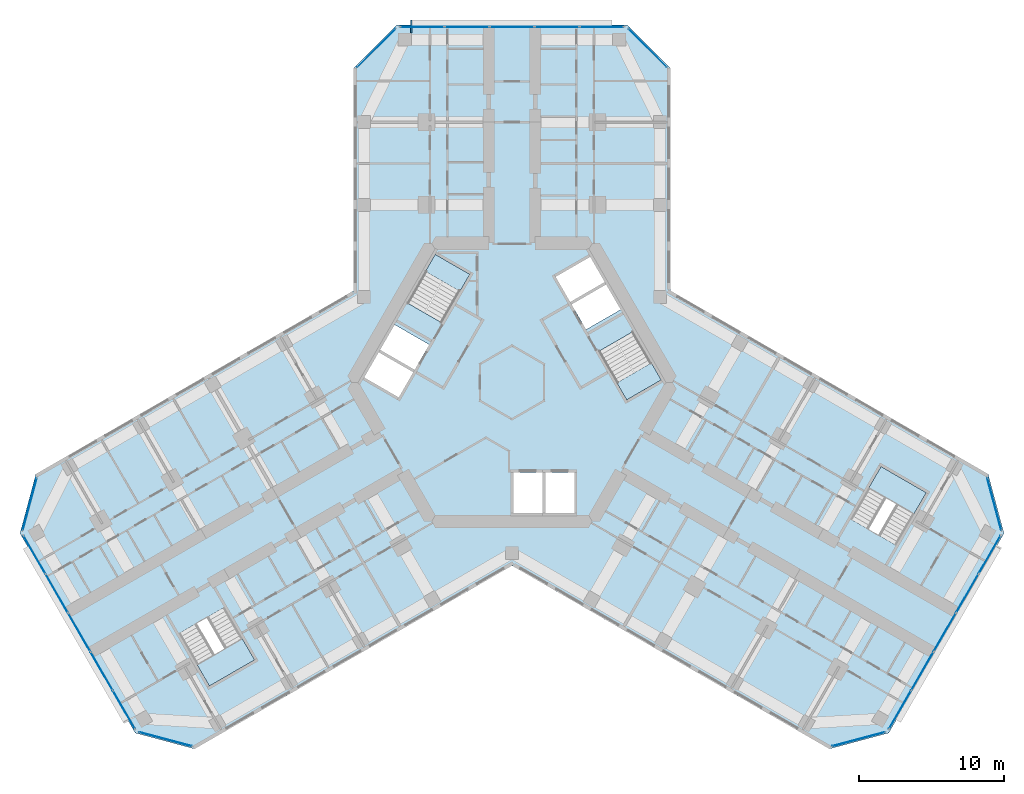
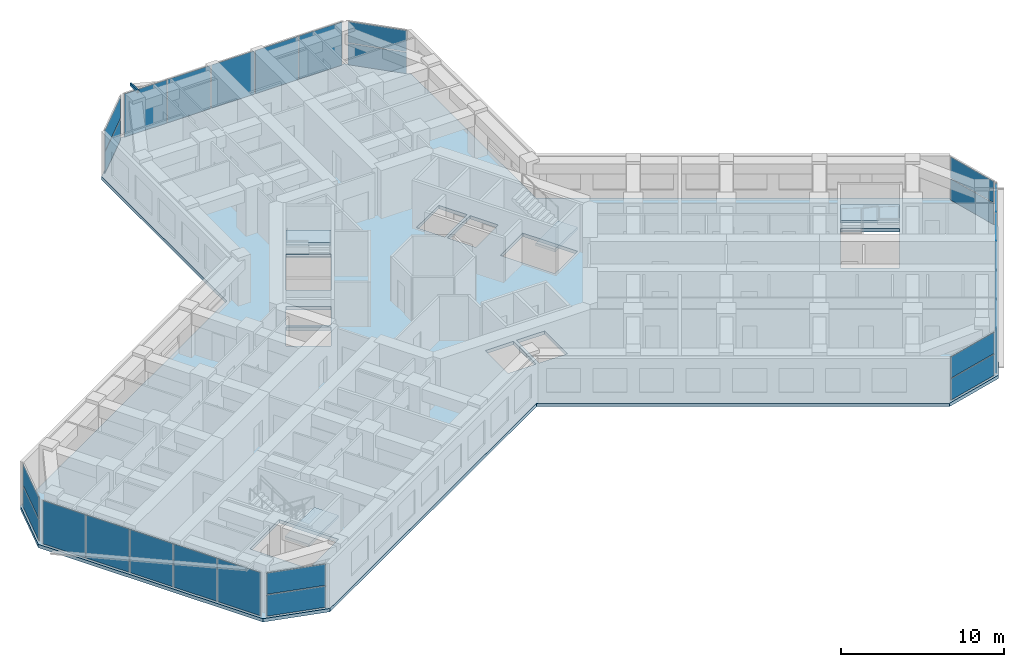
# One storey, part 9 of 19: 27 plates, 5 slabs, 1 member, 13 elements without a shape of their own.
"""IFC4 building model written with IfcOpenShell, lengths in metres."""

from ifc_helpers import new_model, si_unit, direction, frame, origin, origin_2d, place, context, subcontext, project, spatial, polyline, rectangle, hollow_rectangle, outline, extrude, material, layer, layer_set, material_profile, profile_set, type_object, element, aggregate, save


model = new_model("IFC4")

# Units and contexts
model_context = context("Model", 3, precision=1e-05, world=origin(), true_north=direction((0.0, 1.0)))
body_context = subcontext(model_context, "Body", "Model", "MODEL_VIEW")
ifc_project = project(units=[si_unit("LENGTHUNIT", "METRE"), si_unit("AREAUNIT", "SQUARE_METRE"), si_unit("VOLUMEUNIT", "CUBIC_METRE"), si_unit("PLANEANGLEUNIT", "RADIAN"), si_unit("MASSUNIT", "GRAM", prefix="KILO")], contexts=[model_context])

# Site, building, storey
site_placement = place(None, origin())
site = spatial("IfcSite", under=ifc_project, at=site_placement, CompositionType="ELEMENT")
building_placement = place(site_placement, origin())
building = spatial("IfcBuilding", under=site, at=building_placement, Name="Kosmar Iwan School Tower", CompositionType="ELEMENT")
storey_placement = place(building_placement, frame((0.0, 0.0, 145.39990234375)))
storey = spatial("IfcBuildingStorey", under=building, at=storey_placement, Name="L36", CompositionType="ELEMENT", Elevation=145.39990234375)

# Member
ifc_material_1 = material(Name="Steel S355", Category="steel")
ifc_material_profile = material_profile(ifc_material_1, hollow_rectangle(XDim=0.10009765625, YDim=0.199951171875, WallThickness=0.008056640625, at=origin_2d()), Name="RHS 200x100x8")
ifc_profile_set = profile_set([ifc_material_profile], Name="Steel S355")
member_type = type_object("IfcMemberType", Name="Fin bracket RHS 200x100", PredefinedType="USERDEFINED", material=ifc_profile_set)
member_placement = place(storey_placement, frame((-6.949951171875, 24.10009765625, 3.47509765625), z_axis=(0.0, 1.0, 0.0), x_axis=(-1.0, 0.0, 0.0)))
element("IfcMember", 1, at=member_placement, inside=storey, type_object=member_type, Name="Fin bracket L37", ObjectType="FIN BRACKET", PredefinedType="USERDEFINED", context=body_context, shape_type="SweptSolid", body=[
    extrude(hollow_rectangle(XDim=0.10009765625, YDim=0.199951171875, WallThickness=0.008056640625, at=origin_2d()), origin(), (0.0, 0.0, 1.0), 0.89990234375),
])

# Curtain wall, plates
ifc_material_2 = material(Name="Dark glass in black aluminium frame", Category="aluminium")
curtain_wall_type_1 = type_object("IfcCurtainWallType", Name="Chamfer curtain wall dark glass", PredefinedType="USERDEFINED", material=ifc_material_2)
curtain_wall_1_placement = place(storey_placement, origin())
curtain_wall_1 = element("IfcCurtainWall", 2, at=curtain_wall_1_placement, inside=storey, type_object=curtain_wall_type_1, Name="Curtain wall L36-F02", ObjectType="FACETED CURTAIN WALL", PredefinedType="USERDEFINED")
ifc_material_3 = material(Name="Dark glass", Category="glass")
ifc_layer_1 = layer(ifc_material_3, 0.028076171875)
ifc_layer_set_1 = layer_set([ifc_layer_1], Name="Dark glass panel 28")
plate_type = type_object("IfcPlateType", Name="Dark glass panel 28", PredefinedType="CURTAIN_PANEL", material=ifc_layer_set_1)
plate_1_placement = place(storey_placement, frame((23.908203125, -24.61328125, 0.06005859375), z_axis=(0.0, 0.0, 1.0), x_axis=(0.965925875495, 0.258818861462, 0.0)))
plate_1 = element("IfcPlate", 3, at=plate_1_placement, type_object=plate_type, Name="CW2 panel 1.1", PredefinedType="CURTAIN_PANEL", context=body_context, shape_type="SweptSolid", body=[
    extrude(rectangle(XDim=3.718994140625, YDim=0.028076171875, at=origin_2d()), origin(), (0.0, 0.0, 1.0), 1.5849609375),
])
plate_2_placement = place(storey_placement, frame((23.908203125, -24.61328125, 1.705078125), z_axis=(0.0, 0.0, 1.0), x_axis=(0.965925875495, 0.258818861462, 0.0)))
plate_2 = element("IfcPlate", 4, at=plate_2_placement, type_object=plate_type, Name="CW2 panel 1.2", PredefinedType="CURTAIN_PANEL", context=body_context, shape_type="SweptSolid", body=[
    extrude(rectangle(XDim=3.718994140625, YDim=0.028076171875, at=origin_2d()), origin(), (0.0, 0.0, 1.0), 1.5849609375),
])
aggregate(curtain_wall_1, [plate_1, plate_2])

ifc_material_4 = material(Name="Dark glass in black aluminium frame", Category="aluminium")
curtain_wall_type_2 = type_object("IfcCurtainWallType", Name="Tower curtain wall dark glass", PredefinedType="USERDEFINED", material=ifc_material_4)
curtain_wall_2_placement = place(storey_placement, origin())
curtain_wall_2 = element("IfcCurtainWall", 5, at=curtain_wall_2_placement, inside=storey, type_object=curtain_wall_type_2, Name="Curtain wall L36-F03", ObjectType="UNITISED CURTAIN WALL", PredefinedType="USERDEFINED")
plate_3_placement = place(storey_placement, frame((26.764404296875, -22.592529296875, 0.06005859375), z_axis=(0.0, 0.0, 1.0), x_axis=(0.499999997325, 0.866025405329, 0.0)))
plate_3 = element("IfcPlate", 6, at=plate_3_placement, type_object=plate_type, Name="CW1 panel 1.1", PredefinedType="CURTAIN_PANEL", context=body_context, shape_type="SweptSolid", body=[
    extrude(rectangle(XDim=3.00927734375, YDim=0.028076171875, at=origin_2d()), origin(), (0.0, 0.0, 1.0), 3.22998046875),
])
plate_4_placement = place(storey_placement, frame((28.306640625, -19.921630859375, 0.06005859375), z_axis=(0.0, 0.0, 1.0), x_axis=(0.499999997325, 0.866025405329, 0.0)))
plate_4 = element("IfcPlate", 7, at=plate_4_placement, type_object=plate_type, Name="CW1 panel 2.1", PredefinedType="CURTAIN_PANEL", context=body_context, shape_type="SweptSolid", body=[
    extrude(rectangle(XDim=3.039306640625, YDim=0.028076171875, at=origin_2d()), origin(), (0.0, 0.0, 1.0), 3.22998046875),
])
plate_5_placement = place(storey_placement, frame((29.856201171875, -17.237548828125, 0.06005859375), z_axis=(0.0, 0.0, 1.0), x_axis=(0.499999997325, 0.866025405329, 0.0)))
plate_5 = element("IfcPlate", 8, at=plate_5_placement, type_object=plate_type, Name="CW1 panel 3.1", PredefinedType="CURTAIN_PANEL", context=body_context, shape_type="SweptSolid", body=[
    extrude(rectangle(XDim=3.039306640625, YDim=0.028076171875, at=origin_2d()), origin(), (0.0, 0.0, 1.0), 3.22998046875),
])
plate_6_placement = place(storey_placement, frame((31.40576171875, -14.553466796875, 0.06005859375), z_axis=(0.0, 0.0, 1.0), x_axis=(0.499999997325, 0.866025405329, 0.0)))
plate_6 = element("IfcPlate", 9, at=plate_6_placement, type_object=plate_type, Name="CW1 panel 4.1", PredefinedType="CURTAIN_PANEL", context=body_context, shape_type="SweptSolid", body=[
    extrude(rectangle(XDim=3.039306640625, YDim=0.028076171875, at=origin_2d()), origin(), (0.0, 0.0, 1.0), 3.22998046875),
])
plate_7_placement = place(storey_placement, frame((32.947998046875, -11.88232421875, 0.06005859375), z_axis=(0.0, 0.0, 1.0), x_axis=(0.499999997325, 0.866025405329, 0.0)))
plate_7 = element("IfcPlate", 10, at=plate_7_placement, type_object=plate_type, Name="CW1 panel 5.1", PredefinedType="CURTAIN_PANEL", context=body_context, shape_type="SweptSolid", body=[
    extrude(rectangle(XDim=3.00927734375, YDim=0.028076171875, at=origin_2d()), origin(), (0.0, 0.0, 1.0), 3.22998046875),
])
aggregate(curtain_wall_2, [plate_3, plate_4, plate_5, plate_6, plate_7])

curtain_wall_3_placement = place(storey_placement, origin())
curtain_wall_3 = element("IfcCurtainWall", 11, at=curtain_wall_3_placement, inside=storey, type_object=curtain_wall_type_1, Name="Curtain wall L36-F04", ObjectType="FACETED CURTAIN WALL", PredefinedType="USERDEFINED")
plate_8_placement = place(storey_placement, frame((33.269775390625, -8.3984375, 0.06005859375), z_axis=(0.0, 0.0, 1.0), x_axis=(-0.258818861462, 0.965925875495, 0.0)))
plate_8 = element("IfcPlate", 12, at=plate_8_placement, type_object=plate_type, Name="CW2 panel 1.1", PredefinedType="CURTAIN_PANEL", context=body_context, shape_type="SweptSolid", body=[
    extrude(rectangle(XDim=3.718994140625, YDim=0.028076171875, at=origin_2d()), origin(), (0.0, 0.0, 1.0), 1.5849609375),
])
plate_9_placement = place(storey_placement, frame((33.269775390625, -8.3984375, 1.705078125), z_axis=(0.0, 0.0, 1.0), x_axis=(-0.258818861462, 0.965925875495, 0.0)))
plate_9 = element("IfcPlate", 13, at=plate_9_placement, type_object=plate_type, Name="CW2 panel 1.2", PredefinedType="CURTAIN_PANEL", context=body_context, shape_type="SweptSolid", body=[
    extrude(rectangle(XDim=3.718994140625, YDim=0.028076171875, at=origin_2d()), origin(), (0.0, 0.0, 1.0), 1.5849609375),
])
aggregate(curtain_wall_3, [plate_8, plate_9])

curtain_wall_4_placement = place(storey_placement, origin())
curtain_wall_4 = element("IfcCurtainWall", 14, at=curtain_wall_4_placement, inside=storey, type_object=curtain_wall_type_1, Name="Curtain wall L36-F07", ObjectType="FACETED CURTAIN WALL", PredefinedType="USERDEFINED")
plate_10_placement = place(storey_placement, frame((9.361572265625, 23.0615234375, 0.06005859375), z_axis=(0.0, 0.0, 1.0), x_axis=(-0.707106781187, 0.707106781187, 0.0)))
plate_10 = element("IfcPlate", 15, at=plate_10_placement, type_object=plate_type, Name="CW2 panel 1.1", PredefinedType="CURTAIN_PANEL", context=body_context, shape_type="SweptSolid", body=[
    extrude(rectangle(XDim=3.718994140625, YDim=0.028076171875, at=origin_2d()), origin(), (0.0, 0.0, 1.0), 1.5849609375),
])
plate_11_placement = place(storey_placement, frame((9.361572265625, 23.0615234375, 1.705078125), z_axis=(0.0, 0.0, 1.0), x_axis=(-0.707106781187, 0.707106781187, 0.0)))
plate_11 = element("IfcPlate", 16, at=plate_11_placement, type_object=plate_type, Name="CW2 panel 1.2", PredefinedType="CURTAIN_PANEL", context=body_context, shape_type="SweptSolid", body=[
    extrude(rectangle(XDim=3.718994140625, YDim=0.028076171875, at=origin_2d()), origin(), (0.0, 0.0, 1.0), 1.5849609375),
])
aggregate(curtain_wall_4, [plate_10, plate_11])

curtain_wall_5_placement = place(storey_placement, origin())
curtain_wall_5 = element("IfcCurtainWall", 17, at=curtain_wall_5_placement, inside=storey, type_object=curtain_wall_type_2, Name="Curtain wall L36-F08", ObjectType="UNITISED CURTAIN WALL", PredefinedType="USERDEFINED")
plate_12_placement = place(storey_placement, frame((6.18359375, 24.52490234375, 0.06005859375), z_axis=(0.0, 0.0, 1.0), x_axis=(-1.0, 0.0, 0.0)))
plate_12 = element("IfcPlate", 18, at=plate_12_placement, type_object=plate_type, Name="CW1 panel 1.1", PredefinedType="CURTAIN_PANEL", context=body_context, shape_type="SweptSolid", body=[
    extrude(rectangle(XDim=3.00927734375, YDim=0.028076171875, at=origin_2d()), origin(), (0.0, 0.0, 1.0), 3.22998046875),
])
plate_13_placement = place(storey_placement, frame((3.099365234375, 24.52490234375, 0.06005859375), z_axis=(0.0, 0.0, 1.0), x_axis=(-1.0, 0.0, 0.0)))
plate_13 = element("IfcPlate", 19, at=plate_13_placement, type_object=plate_type, Name="CW1 panel 2.1", PredefinedType="CURTAIN_PANEL", context=body_context, shape_type="SweptSolid", body=[
    extrude(rectangle(XDim=3.039306640625, YDim=0.028076171875, at=origin_2d()), origin(), (0.0, 0.0, 1.0), 3.22998046875),
])
plate_14_placement = place(storey_placement, frame((0.0, 24.52490234375, 0.06005859375), z_axis=(0.0, 0.0, 1.0), x_axis=(-1.0, 0.0, 0.0)))
plate_14 = element("IfcPlate", 20, at=plate_14_placement, type_object=plate_type, Name="CW1 panel 3.1", PredefinedType="CURTAIN_PANEL", context=body_context, shape_type="SweptSolid", body=[
    extrude(rectangle(XDim=3.039306640625, YDim=0.028076171875, at=origin_2d()), origin(), (0.0, 0.0, 1.0), 3.22998046875),
])
plate_15_placement = place(storey_placement, frame((-3.099365234375, 24.52490234375, 0.06005859375), z_axis=(0.0, 0.0, 1.0), x_axis=(-1.0, 0.0, 0.0)))
plate_15 = element("IfcPlate", 21, at=plate_15_placement, type_object=plate_type, Name="CW1 panel 4.1", PredefinedType="CURTAIN_PANEL", context=body_context, shape_type="SweptSolid", body=[
    extrude(rectangle(XDim=3.039306640625, YDim=0.028076171875, at=origin_2d()), origin(), (0.0, 0.0, 1.0), 3.22998046875),
])
plate_16_placement = place(storey_placement, frame((-6.18359375, 24.52490234375, 0.06005859375), z_axis=(0.0, 0.0, 1.0), x_axis=(-1.0, 0.0, 0.0)))
plate_16 = element("IfcPlate", 22, at=plate_16_placement, type_object=plate_type, Name="CW1 panel 5.1", PredefinedType="CURTAIN_PANEL", context=body_context, shape_type="SweptSolid", body=[
    extrude(rectangle(XDim=3.00927734375, YDim=0.028076171875, at=origin_2d()), origin(), (0.0, 0.0, 1.0), 3.22998046875),
])
aggregate(curtain_wall_5, [plate_12, plate_13, plate_14, plate_15, plate_16])

curtain_wall_6_placement = place(storey_placement, origin())
curtain_wall_6 = element("IfcCurtainWall", 23, at=curtain_wall_6_placement, inside=storey, type_object=curtain_wall_type_1, Name="Curtain wall L36-F09", ObjectType="FACETED CURTAIN WALL", PredefinedType="USERDEFINED")
plate_17_placement = place(storey_placement, frame((-9.361572265625, 23.0615234375, 0.06005859375), z_axis=(0.0, 0.0, 1.0), x_axis=(-0.707106781187, -0.707106781187, 0.0)))
plate_17 = element("IfcPlate", 24, at=plate_17_placement, type_object=plate_type, Name="CW2 panel 1.1", PredefinedType="CURTAIN_PANEL", context=body_context, shape_type="SweptSolid", body=[
    extrude(rectangle(XDim=3.718994140625, YDim=0.028076171875, at=origin_2d()), origin(), (0.0, 0.0, 1.0), 1.5849609375),
])
plate_18_placement = place(storey_placement, frame((-9.361572265625, 23.0615234375, 1.705078125), z_axis=(0.0, 0.0, 1.0), x_axis=(-0.707106781187, -0.707106781187, 0.0)))
plate_18 = element("IfcPlate", 25, at=plate_18_placement, type_object=plate_type, Name="CW2 panel 1.2", PredefinedType="CURTAIN_PANEL", context=body_context, shape_type="SweptSolid", body=[
    extrude(rectangle(XDim=3.718994140625, YDim=0.028076171875, at=origin_2d()), origin(), (0.0, 0.0, 1.0), 1.5849609375),
])
aggregate(curtain_wall_6, [plate_17, plate_18])

curtain_wall_7_placement = place(storey_placement, origin())
curtain_wall_7 = element("IfcCurtainWall", 26, at=curtain_wall_7_placement, inside=storey, type_object=curtain_wall_type_1, Name="Curtain wall L36-F12", ObjectType="FACETED CURTAIN WALL", PredefinedType="USERDEFINED")
plate_19_placement = place(storey_placement, frame((-33.269775390625, -8.3984375, 0.06005859375), z_axis=(0.0, 0.0, 1.0), x_axis=(-0.258818861462, -0.965925875495, 0.0)))
plate_19 = element("IfcPlate", 27, at=plate_19_placement, type_object=plate_type, Name="CW2 panel 1.1", PredefinedType="CURTAIN_PANEL", context=body_context, shape_type="SweptSolid", body=[
    extrude(rectangle(XDim=3.718994140625, YDim=0.028076171875, at=origin_2d()), origin(), (0.0, 0.0, 1.0), 1.5849609375),
])
plate_20_placement = place(storey_placement, frame((-33.269775390625, -8.3984375, 1.705078125), z_axis=(0.0, 0.0, 1.0), x_axis=(-0.258818861462, -0.965925875495, 0.0)))
plate_20 = element("IfcPlate", 28, at=plate_20_placement, type_object=plate_type, Name="CW2 panel 1.2", PredefinedType="CURTAIN_PANEL", context=body_context, shape_type="SweptSolid", body=[
    extrude(rectangle(XDim=3.718994140625, YDim=0.028076171875, at=origin_2d()), origin(), (0.0, 0.0, 1.0), 1.5849609375),
])
aggregate(curtain_wall_7, [plate_19, plate_20])

curtain_wall_8_placement = place(storey_placement, origin())
curtain_wall_8 = element("IfcCurtainWall", 29, at=curtain_wall_8_placement, inside=storey, type_object=curtain_wall_type_2, Name="Curtain wall L36-F13", ObjectType="UNITISED CURTAIN WALL", PredefinedType="USERDEFINED")
plate_21_placement = place(storey_placement, frame((-32.947998046875, -11.88232421875, 0.06005859375), z_axis=(0.0, 0.0, 1.0), x_axis=(0.499999997325, -0.866025405329, 0.0)))
plate_21 = element("IfcPlate", 30, at=plate_21_placement, type_object=plate_type, Name="CW1 panel 1.1", PredefinedType="CURTAIN_PANEL", context=body_context, shape_type="SweptSolid", body=[
    extrude(rectangle(XDim=3.00927734375, YDim=0.028076171875, at=origin_2d()), origin(), (0.0, 0.0, 1.0), 3.22998046875),
])
plate_22_placement = place(storey_placement, frame((-31.40576171875, -14.553466796875, 0.06005859375), z_axis=(0.0, 0.0, 1.0), x_axis=(0.499999997325, -0.866025405329, 0.0)))
plate_22 = element("IfcPlate", 31, at=plate_22_placement, type_object=plate_type, Name="CW1 panel 2.1", PredefinedType="CURTAIN_PANEL", context=body_context, shape_type="SweptSolid", body=[
    extrude(rectangle(XDim=3.039306640625, YDim=0.028076171875, at=origin_2d()), origin(), (0.0, 0.0, 1.0), 3.22998046875),
])
plate_23_placement = place(storey_placement, frame((-29.856201171875, -17.237548828125, 0.06005859375), z_axis=(0.0, 0.0, 1.0), x_axis=(0.499999997325, -0.866025405329, 0.0)))
plate_23 = element("IfcPlate", 32, at=plate_23_placement, type_object=plate_type, Name="CW1 panel 3.1", PredefinedType="CURTAIN_PANEL", context=body_context, shape_type="SweptSolid", body=[
    extrude(rectangle(XDim=3.039306640625, YDim=0.028076171875, at=origin_2d()), origin(), (0.0, 0.0, 1.0), 3.22998046875),
])
plate_24_placement = place(storey_placement, frame((-28.306640625, -19.921630859375, 0.06005859375), z_axis=(0.0, 0.0, 1.0), x_axis=(0.499999997325, -0.866025405329, 0.0)))
plate_24 = element("IfcPlate", 33, at=plate_24_placement, type_object=plate_type, Name="CW1 panel 4.1", PredefinedType="CURTAIN_PANEL", context=body_context, shape_type="SweptSolid", body=[
    extrude(rectangle(XDim=3.039306640625, YDim=0.028076171875, at=origin_2d()), origin(), (0.0, 0.0, 1.0), 3.22998046875),
])
plate_25_placement = place(storey_placement, frame((-26.764404296875, -22.592529296875, 0.06005859375), z_axis=(0.0, 0.0, 1.0), x_axis=(0.499999997325, -0.866025405329, 0.0)))
plate_25 = element("IfcPlate", 34, at=plate_25_placement, type_object=plate_type, Name="CW1 panel 5.1", PredefinedType="CURTAIN_PANEL", context=body_context, shape_type="SweptSolid", body=[
    extrude(rectangle(XDim=3.00927734375, YDim=0.028076171875, at=origin_2d()), origin(), (0.0, 0.0, 1.0), 3.22998046875),
])
aggregate(curtain_wall_8, [plate_21, plate_22, plate_23, plate_24, plate_25])

curtain_wall_9_placement = place(storey_placement, origin())
curtain_wall_9 = element("IfcCurtainWall", 35, at=curtain_wall_9_placement, inside=storey, type_object=curtain_wall_type_1, Name="Curtain wall L36-F14", ObjectType="FACETED CURTAIN WALL", PredefinedType="USERDEFINED")
plate_26_placement = place(storey_placement, frame((-23.908203125, -24.61328125, 0.06005859375), z_axis=(0.0, 0.0, 1.0), x_axis=(0.965925875495, -0.258818861462, 0.0)))
plate_26 = element("IfcPlate", 36, at=plate_26_placement, type_object=plate_type, Name="CW2 panel 1.1", PredefinedType="CURTAIN_PANEL", context=body_context, shape_type="SweptSolid", body=[
    extrude(rectangle(XDim=3.718994140625, YDim=0.028076171875, at=origin_2d()), origin(), (0.0, 0.0, 1.0), 1.5849609375),
])
plate_27_placement = place(storey_placement, frame((-23.908203125, -24.61328125, 1.705078125), z_axis=(0.0, 0.0, 1.0), x_axis=(0.965925875495, -0.258818861462, 0.0)))
plate_27 = element("IfcPlate", 37, at=plate_27_placement, type_object=plate_type, Name="CW2 panel 1.2", PredefinedType="CURTAIN_PANEL", context=body_context, shape_type="SweptSolid", body=[
    extrude(rectangle(XDim=3.718994140625, YDim=0.028076171875, at=origin_2d()), origin(), (0.0, 0.0, 1.0), 1.5849609375),
])
aggregate(curtain_wall_9, [plate_26, plate_27])

# Stair, slab
ifc_material_5 = material(Name="Concrete C35/45", Category="concrete")
stair_type_1 = type_object("IfcStairType", Name="Escape stair 3600", PredefinedType="HALF_TURN_STAIR", material=ifc_material_5)
stair_1_placement = place(storey_placement, origin())
stair_1 = element("IfcStair", 38, at=stair_1_placement, inside=storey, type_object=stair_type_1, Name="Stair WS2 L36", PredefinedType="HALF_TURN_STAIR")
ifc_material_6 = material(Name="Concrete C35/45", Category="concrete")
ifc_layer_2 = layer(ifc_material_6, 0.199951171875)
ifc_layer_set_2 = layer_set([ifc_layer_2], Name="Escape stair landing 200")
slab_type_1 = type_object("IfcSlabType", Name="Escape stair landing 200", PredefinedType="LANDING", material=ifc_layer_set_2)
slab_1_placement = place(storey_placement, frame((0.0, 0.0, 1.60009765625)))
slab_1 = element("IfcSlab", 39, at=slab_1_placement, type_object=slab_type_1, Name="WS2 landing 1", PredefinedType="LANDING", context=body_context, shape_type="SweptSolid", body=[
    extrude(outline(polyline([(-18.607421875, -17.671142578125), (-21.72509765625, -19.47119140625), (-20.875, -20.943359375), (-17.75732421875, -19.143310546875), (-18.607421875, -17.671142578125)])), origin(), (0.0, 0.0, 1.0), 0.199951171875),
])
aggregate(stair_1, [slab_1])

stair_2_placement = place(storey_placement, origin())
stair_2 = element("IfcStair", 40, at=stair_2_placement, inside=storey, type_object=stair_type_1, Name="Stair WS3 L36", PredefinedType="HALF_TURN_STAIR")
slab_2_placement = place(storey_placement, frame((0.0, 0.0, 1.60009765625)))
slab_2 = element("IfcSlab", 41, at=slab_2_placement, type_object=slab_type_1, Name="WS3 landing 1", PredefinedType="LANDING", context=body_context, shape_type="SweptSolid", body=[
    extrude(outline(polyline([(24.607421875, -7.27880859375), (27.72509765625, -9.078857421875), (28.574951171875, -7.606689453125), (25.457275390625, -5.806640625), (24.607421875, -7.27880859375)])), origin(), (0.0, 0.0, 1.0), 0.199951171875),
])
aggregate(stair_2, [slab_2])

# Slab
ifc_material_7 = material(Name="Concrete C35/45", Category="concrete")
ifc_layer_3 = layer(ifc_material_7, 0.25)
ifc_layer_set_3 = layer_set([ifc_layer_3], Name="Floor slab 250")
slab_type_2 = type_object("IfcSlabType", Name="Floor slab 250", PredefinedType="FLOOR", material=ifc_layer_set_3)
slab_3_placement = place(storey_placement, frame((0.0, 0.0, -0.25)))
element("IfcSlab", 42, at=slab_3_placement, inside=storey, type_object=slab_type_2, Name="L36 floor slab", PredefinedType="FLOOR", context=body_context, shape_type="SweptSolid", body=[
    extrude(outline(polyline([(-21.891357421875, -25.282958984375), (0.0, -12.64404296875), (21.891357421875, -25.282958984375), (25.989501953125, -24.184814453125), (33.939453125, -10.4150390625), (32.84130859375, -6.317138671875), (10.949951171875, 6.322021484375), (10.949951171875, 21.64990234375), (7.949951171875, 24.64990234375), (-7.949951171875, 24.64990234375), (-10.949951171875, 21.64990234375), (-10.949951171875, 6.322021484375), (-32.84130859375, -6.317138671875), (-33.939453125, -10.4150390625), (-25.989501953125, -24.184814453125), (-21.891357421875, -25.282958984375)]), holes=[polyline([(7.91259765625, -1.205078125), (10.294189453125, 0.169921875), (8.3642578125, 3.5126953125), (5.982666015625, 2.1376953125), (7.91259765625, -1.205078125)]), polyline([(-2.91259765625, 7.455078125), (-5.294189453125, 8.830078125), (-7.22412109375, 5.4873046875), (-4.8427734375, 4.1123046875), (-2.91259765625, 7.455078125)]), polyline([(-5.712646484375, 2.60546875), (-8.09423828125, 3.98046875), (-9.09423828125, 2.248291015625), (-6.712646484375, 0.873291015625), (-5.712646484375, 2.60546875)]), polyline([(-6.812744140625, 0.7001953125), (-9.1943359375, 2.0751953125), (-10.1943359375, 0.343017578125), (-7.812744140625, -1.031982421875), (-6.812744140625, 0.7001953125)]), polyline([(5.112548828125, 3.64453125), (7.494140625, 5.01953125), (6.494140625, 6.751708984375), (4.112548828125, 5.376708984375), (5.112548828125, 3.64453125)]), polyline([(4.0126953125, 5.5498046875), (6.394287109375, 6.9248046875), (5.394287109375, 8.656982421875), (3.0126953125, 7.281982421875), (4.0126953125, 5.5498046875)]), polyline([(0.10009765625, -6.199951171875), (0.10009765625, -9.0), (2.10009765625, -9.0), (2.10009765625, -6.199951171875), (0.10009765625, -6.199951171875)]), polyline([(2.300048828125, -6.199951171875), (2.300048828125, -9.0), (4.300048828125, -9.0), (4.300048828125, -6.199951171875), (2.300048828125, -6.199951171875)]), polyline([(-19.847412109375, -15.5234375), (-22.965087890625, -17.323486328125), (-20.875, -20.943359375), (-17.75732421875, -19.143310546875), (-19.847412109375, -15.5234375)]), polyline([(23.367431640625, -9.426513671875), (26.485107421875, -11.2265625), (28.574951171875, -7.606689453125), (25.457275390625, -5.806640625), (23.367431640625, -9.426513671875)])]), origin(), (0.0, 0.0, 1.0), 0.25),
])

# Stair, slab
ifc_material_8 = material(Name="Concrete C35/45", Category="concrete")
stair_type_2 = type_object("IfcStairType", Name="Core stair 2750", PredefinedType="HALF_TURN_STAIR", material=ifc_material_8)
stair_3_placement = place(storey_placement, origin())
stair_3 = element("IfcStair", 43, at=stair_3_placement, inside=storey, type_object=stair_type_2, Name="Stair ST2 L36", PredefinedType="HALF_TURN_STAIR")
ifc_material_9 = material(Name="Concrete C35/45", Category="concrete")
ifc_layer_4 = layer(ifc_material_9, 0.199951171875)
ifc_layer_set_4 = layer_set([ifc_layer_4], Name="Stair landing 200")
slab_type_3 = type_object("IfcSlabType", Name="Stair landing 200", PredefinedType="LANDING", material=ifc_layer_set_4)
slab_4_placement = place(storey_placement, frame((0.0, 0.0, 1.60009765625)))
slab_4 = element("IfcSlab", 44, at=slab_4_placement, type_object=slab_type_3, Name="ST2 landing 1", PredefinedType="LANDING", context=body_context, shape_type="SweptSolid", body=[
    extrude(outline(polyline([(-2.91259765625, 7.455078125), (-5.294189453125, 8.830078125), (-5.97412109375, 7.65234375), (-3.5927734375, 6.27734375), (-2.91259765625, 7.455078125)])), origin(), (0.0, 0.0, 1.0), 0.199951171875),
])
aggregate(stair_3, [slab_4])

stair_4_placement = place(storey_placement, origin())
stair_4 = element("IfcStair", 45, at=stair_4_placement, inside=storey, type_object=stair_type_2, Name="Stair ST1 L36", PredefinedType="HALF_TURN_STAIR")
slab_5_placement = place(storey_placement, frame((0.0, 0.0, 1.60009765625)))
slab_5 = element("IfcSlab", 46, at=slab_5_placement, type_object=slab_type_3, Name="ST1 landing 1", PredefinedType="LANDING", context=body_context, shape_type="SweptSolid", body=[
    extrude(outline(polyline([(7.91259765625, -1.205078125), (10.294189453125, 0.169921875), (9.6142578125, 1.34765625), (7.232666015625, -0.02734375), (7.91259765625, -1.205078125)])), origin(), (0.0, 0.0, 1.0), 0.199951171875),
])
aggregate(stair_4, [slab_5])

save(model, "model.ifc")
